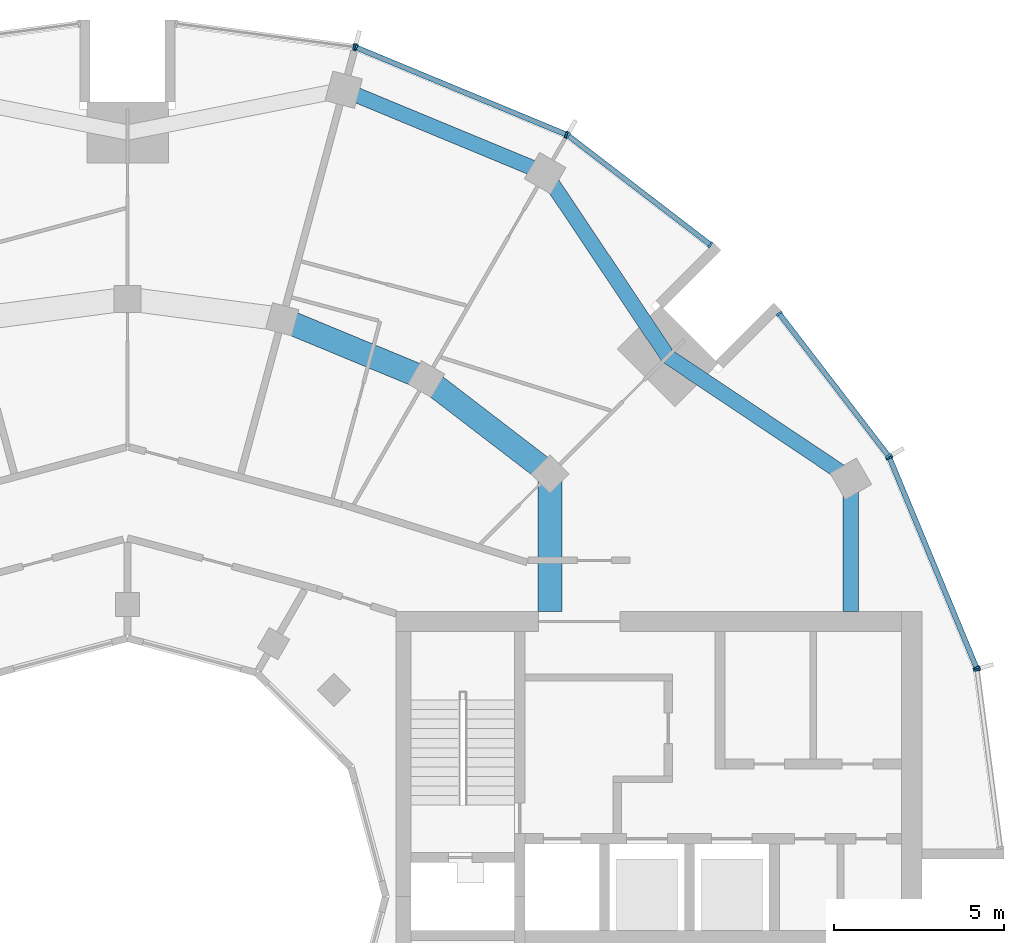
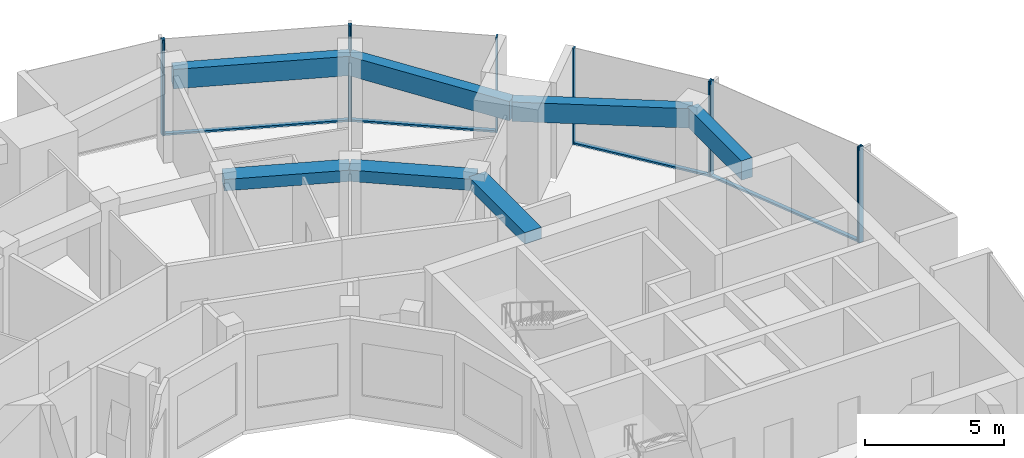
# One storey, part 6 of 15: 14 members, 7 beams, 6 elements without a shape of their own.
"""IFC4 building model written with IfcOpenShell, lengths in metres."""

from ifc_helpers import new_model, si_unit, direction, frame, origin, origin_2d, place, context, subcontext, project, spatial, rectangle, extrude, material, layer, layer_set, material_profile, profile_set, type_object, element, aggregate, save


model = new_model("IFC4")

# Units and contexts
model_context = context("Model", 3, precision=1e-05, world=origin(), true_north=direction((0.0, 1.0)))
body_context = subcontext(model_context, "Body", "Model", "MODEL_VIEW")
ifc_project = project(units=[si_unit("LENGTHUNIT", "METRE"), si_unit("AREAUNIT", "SQUARE_METRE"), si_unit("VOLUMEUNIT", "CUBIC_METRE"), si_unit("PLANEANGLEUNIT", "RADIAN"), si_unit("MASSUNIT", "GRAM", prefix="KILO")], contexts=[model_context])

# Site, building, storey
site_placement = place(None, origin())
site = spatial("IfcSite", under=ifc_project, at=site_placement, CompositionType="ELEMENT")
building_placement = place(site_placement, origin())
building = spatial("IfcBuilding", under=site, at=building_placement, Name="Torre Brocal", CompositionType="ELEMENT")
storey_placement = place(building_placement, frame((0.0, 0.0, 245.699951171875)))
storey = spatial("IfcBuildingStorey", under=building, at=storey_placement, Name="L56", CompositionType="ELEMENT", Elevation=245.699951171875)

# Curtain wall, members
ifc_material_1 = material(Name="Aluminium and glass", Category="aluminium")
ifc_layer_1 = layer(ifc_material_1, 0.199951171875)
ifc_layer_set_1 = layer_set([ifc_layer_1], Name="Aluminium and glass")
curtain_wall_type_1 = type_object("IfcCurtainWallType", Name="CW-1 CURTAIN WALL 4200 HIGH", PredefinedType="NOTDEFINED", material=ifc_layer_set_1)
curtain_wall_1_placement = place(storey_placement, origin())
curtain_wall_1 = element("IfcCurtainWall", 1, at=curtain_wall_1_placement, inside=storey, type_object=curtain_wall_type_1, Name="CW-1 RUN 2", PredefinedType="NOTDEFINED")
ifc_material_2 = material(Name="Aluminium, dark anodised", Category="aluminium")
ifc_material_profile_1 = material_profile(ifc_material_2, rectangle(XDim=0.199951171875, YDim=0.06005859375, at=origin_2d()), Name="CW-1 MULLION 60X200")
ifc_profile_set_1 = profile_set([ifc_material_profile_1], Name="Aluminium, dark anodised")
member_type_1 = type_object("IfcMemberType", Name="CW-1 MULLION 60X200", PredefinedType="MULLION", material=ifc_profile_set_1)
member_1_placement = place(storey_placement, frame((105.005126953125, 81.73095703125, 0.0), z_axis=(0.0, 0.0, 1.0), x_axis=(-0.923879532525, -0.382683432333, 0.0)))
member_1 = element("IfcMember", 2, at=member_1_placement, type_object=member_type_1, Name="CW1-5 mullion 1", PredefinedType="MULLION", context=body_context, shape_type="SweptSolid", body=[
    extrude(rectangle(XDim=0.199951171875, YDim=0.06005859375, at=origin_2d()), origin(), (0.0, 0.0, 1.0), 4.199951171875),
])
member_2_placement = place(storey_placement, frame((102.440673828125, 87.921875, 0.0), z_axis=(0.0, 0.0, 1.0), x_axis=(-0.923879532525, -0.382683432333, 0.0)))
member_2 = element("IfcMember", 3, at=member_2_placement, type_object=member_type_1, Name="CW1-5 mullion 2", PredefinedType="MULLION", context=body_context, shape_type="SweptSolid", body=[
    extrude(rectangle(XDim=0.199951171875, YDim=0.06005859375, at=origin_2d()), origin(), (0.0, 0.0, 1.0), 4.199951171875),
])

curtain_wall_2_placement = place(storey_placement, origin())
curtain_wall_2 = element("IfcCurtainWall", 4, at=curtain_wall_2_placement, inside=storey, type_object=curtain_wall_type_1, Name="CW-1 RUN 3", PredefinedType="NOTDEFINED")
member_3_placement = place(storey_placement, frame((102.4111328125, 87.973388671875, 0.0), z_axis=(0.0, 0.0, 1.0), x_axis=(-0.793353340259, -0.60876142905, 0.0)))
member_3 = element("IfcMember", 5, at=member_3_placement, type_object=member_type_1, Name="CW1-5 mullion 1", PredefinedType="MULLION", context=body_context, shape_type="SweptSolid", body=[
    extrude(rectangle(XDim=0.199951171875, YDim=0.06005859375, at=origin_2d()), origin(), (0.0, 0.0, 1.0), 4.199951171875),
])
member_4_placement = place(storey_placement, frame((99.19140625, 92.16943359375, 0.0), z_axis=(0.0, 0.0, 1.0), x_axis=(-0.793353340259, -0.60876142905, 0.0)))
member_4 = element("IfcMember", 6, at=member_4_placement, type_object=member_type_1, Name="CW1-5 mullion 2", PredefinedType="MULLION", context=body_context, shape_type="SweptSolid", body=[
    extrude(rectangle(XDim=0.199951171875, YDim=0.06005859375, at=origin_2d()), origin(), (0.0, 0.0, 1.0), 4.199951171875),
])

curtain_wall_3_placement = place(storey_placement, origin())
curtain_wall_3 = element("IfcCurtainWall", 7, at=curtain_wall_3_placement, inside=storey, type_object=curtain_wall_type_1, Name="CW-1 RUN 4", PredefinedType="NOTDEFINED")
member_5_placement = place(storey_placement, frame((97.16943359375, 94.19140625, 0.0), z_axis=(0.0, 0.0, 1.0), x_axis=(-0.60876142905, -0.793353340259, 0.0)))
member_5 = element("IfcMember", 8, at=member_5_placement, type_object=member_type_1, Name="CW1-5 mullion 1", PredefinedType="MULLION", context=body_context, shape_type="SweptSolid", body=[
    extrude(rectangle(XDim=0.199951171875, YDim=0.06005859375, at=origin_2d()), origin(), (0.0, 0.0, 1.0), 4.199951171875),
])
member_6_placement = place(storey_placement, frame((92.973388671875, 97.4111328125, 0.0), z_axis=(0.0, 0.0, 1.0), x_axis=(-0.60876142905, -0.793353340259, 0.0)))
member_6 = element("IfcMember", 9, at=member_6_placement, type_object=member_type_1, Name="CW1-5 mullion 2", PredefinedType="MULLION", context=body_context, shape_type="SweptSolid", body=[
    extrude(rectangle(XDim=0.199951171875, YDim=0.06005859375, at=origin_2d()), origin(), (0.0, 0.0, 1.0), 4.199951171875),
])

curtain_wall_4_placement = place(storey_placement, origin())
curtain_wall_4 = element("IfcCurtainWall", 10, at=curtain_wall_4_placement, inside=storey, type_object=curtain_wall_type_1, Name="CW-1 RUN 5", PredefinedType="NOTDEFINED")
member_7_placement = place(storey_placement, frame((92.921875, 97.440673828125, 0.0), z_axis=(0.0, 0.0, 1.0), x_axis=(-0.382683432333, -0.923879532525, 0.0)))
member_7 = element("IfcMember", 11, at=member_7_placement, type_object=member_type_1, Name="CW1-5 mullion 1", PredefinedType="MULLION", context=body_context, shape_type="SweptSolid", body=[
    extrude(rectangle(XDim=0.199951171875, YDim=0.06005859375, at=origin_2d()), origin(), (0.0, 0.0, 1.0), 4.199951171875),
])
member_8_placement = place(storey_placement, frame((86.73095703125, 100.005126953125, 0.0), z_axis=(0.0, 0.0, 1.0), x_axis=(-0.382683432333, -0.923879532525, 0.0)))
member_8 = element("IfcMember", 12, at=member_8_placement, type_object=member_type_1, Name="CW1-5 mullion 2", PredefinedType="MULLION", context=body_context, shape_type="SweptSolid", body=[
    extrude(rectangle(XDim=0.199951171875, YDim=0.06005859375, at=origin_2d()), origin(), (0.0, 0.0, 1.0), 4.199951171875),
])

# Curtain wall, member
curtain_wall_5_placement = place(storey_placement, origin())
curtain_wall_5 = element("IfcCurtainWall", 13, at=curtain_wall_5_placement, inside=storey, type_object=curtain_wall_type_1, Name="CW-1 RUN 6", PredefinedType="NOTDEFINED")
member_9_placement = place(storey_placement, frame((86.67333984375, 100.0205078125, 0.0), z_axis=(0.0, 0.0, 1.0), x_axis=(-0.13052619222, -0.991444861374, 0.0)))
member_9 = element("IfcMember", 14, at=member_9_placement, type_object=member_type_1, Name="CW1-5 mullion 1", PredefinedType="MULLION", context=body_context, shape_type="SweptSolid", body=[
    extrude(rectangle(XDim=0.199951171875, YDim=0.06005859375, at=origin_2d()), origin(), (0.0, 0.0, 1.0), 4.199951171875),
])
aggregate(curtain_wall_5, [member_9])

# Member
ifc_material_3 = material(Name="Aluminium, dark anodised", Category="aluminium")
ifc_material_profile_2 = material_profile(ifc_material_3, rectangle(XDim=0.159912109375, YDim=0.080078125, at=origin_2d()), Name="CW-1 TRANSOM 160X80")
ifc_profile_set_2 = profile_set([ifc_material_profile_2], Name="Aluminium, dark anodised")
member_type_2 = type_object("IfcMemberType", Name="CW-1 TRANSOM 160X80", PredefinedType="USERDEFINED", material=ifc_profile_set_2)
member_10_placement = place(storey_placement, frame((104.99365234375, 81.758544921875, 0.0400390625), z_axis=(-0.38266457234, 0.923887344364, 0.0), x_axis=(-0.923887344364, -0.38266457234, 0.0)))
member_10 = element("IfcMember", 15, at=member_10_placement, type_object=member_type_2, Name="CW1-5 transom 1.1", ObjectType="TRANSOM", PredefinedType="USERDEFINED", context=body_context, shape_type="SweptSolid", body=[
    extrude(rectangle(XDim=0.159912109375, YDim=0.080078125, at=origin_2d()), origin(), (0.0, 0.0, 1.0), 6.640869140625),
])

aggregate(curtain_wall_1, [member_1, member_2, member_10])

member_11_placement = place(storey_placement, frame((102.392822265625, 87.9970703125, 0.0400390625), z_axis=(-0.60874908096, 0.79336281513, 0.0), x_axis=(-0.79336281513, -0.60874908096, 0.0)))
member_11 = element("IfcMember", 16, at=member_11_placement, type_object=member_type_2, Name="CW1-5 transom 1.1", ObjectType="TRANSOM", PredefinedType="USERDEFINED", context=body_context, shape_type="SweptSolid", body=[
    extrude(rectangle(XDim=0.159912109375, YDim=0.080078125, at=origin_2d()), origin(), (0.0, 0.0, 1.0), 5.22900390625),
])

aggregate(curtain_wall_2, [member_3, member_4, member_11])

member_12_placement = place(storey_placement, frame((97.1455078125, 94.209716796875, 0.0400390625), z_axis=(-0.79336281513, 0.60874908096, 0.0), x_axis=(-0.60874908096, -0.79336281513, 0.0)))
member_12 = element("IfcMember", 17, at=member_12_placement, type_object=member_type_2, Name="CW1-5 transom 1.1", ObjectType="TRANSOM", PredefinedType="USERDEFINED", context=body_context, shape_type="SweptSolid", body=[
    extrude(rectangle(XDim=0.159912109375, YDim=0.080078125, at=origin_2d()), origin(), (0.0, 0.0, 1.0), 5.22900390625),
])

aggregate(curtain_wall_3, [member_5, member_6, member_12])

member_13_placement = place(storey_placement, frame((92.89404296875, 97.452392578125, 0.0400390625), z_axis=(-0.923887344364, 0.38266457234, 0.0), x_axis=(-0.38266457234, -0.923887344364, 0.0)))
member_13 = element("IfcMember", 18, at=member_13_placement, type_object=member_type_2, Name="CW1-5 transom 1.1", ObjectType="TRANSOM", PredefinedType="USERDEFINED", context=body_context, shape_type="SweptSolid", body=[
    extrude(rectangle(XDim=0.159912109375, YDim=0.080078125, at=origin_2d()), origin(), (0.0, 0.0, 1.0), 6.640869140625),
])

aggregate(curtain_wall_4, [member_7, member_8, member_13])

# Curtain wall, member
ifc_material_4 = material(Name="Aluminium and glass", Category="aluminium")
ifc_layer_2 = layer(ifc_material_4, 0.199951171875)
ifc_layer_set_2 = layer_set([ifc_layer_2], Name="Aluminium and glass")
curtain_wall_type_2 = type_object("IfcCurtainWallType", Name="CW-1B CURTAIN WALL 4200 HIGH", PredefinedType="NOTDEFINED", material=ifc_layer_set_2)
curtain_wall_6_placement = place(storey_placement, origin())
curtain_wall_6 = element("IfcCurtainWall", 19, at=curtain_wall_6_placement, inside=storey, type_object=curtain_wall_type_2, Name="CW-1B RUN 1", PredefinedType="NOTDEFINED")
ifc_material_5 = material(Name="Aluminium, dark anodised", Category="aluminium")
ifc_material_profile_3 = material_profile(ifc_material_5, rectangle(XDim=0.199951171875, YDim=0.06005859375, at=origin_2d()), Name="CW-1B MULLION 60X200")
ifc_profile_set_3 = profile_set([ifc_material_profile_3], Name="Aluminium, dark anodised")
member_type_3 = type_object("IfcMemberType", Name="CW-1B MULLION 60X200", PredefinedType="MULLION", material=ifc_profile_set_3)
member_14_placement = place(storey_placement, frame((105.0205078125, 81.67333984375, 0.0), z_axis=(0.0, 0.0, 1.0), x_axis=(-0.991444861374, -0.13052619222, 0.0)))
member_14 = element("IfcMember", 20, at=member_14_placement, type_object=member_type_3, Name="CW1B-5 mullion 2", PredefinedType="MULLION", context=body_context, shape_type="SweptSolid", body=[
    extrude(rectangle(XDim=0.199951171875, YDim=0.06005859375, at=origin_2d()), origin(), (0.0, 0.0, 1.0), 4.199951171875),
])
aggregate(curtain_wall_6, [member_14])

# Beams
ifc_material_6 = material(Name="Concrete C50", Category="concrete")
ifc_material_profile_4 = material_profile(ifc_material_6, rectangle(XDim=0.699951171875, YDim=0.5, at=origin_2d()), Name="RC 700X500")
ifc_profile_set_4 = profile_set([ifc_material_profile_4], Name="Concrete C50")
beam_type_1 = type_object("IfcBeamType", Name="RC BEAM 700X500 C50 TOP 3880", PredefinedType="BEAM", material=ifc_profile_set_4)
beam_1_placement = place(storey_placement, frame((92.445068359375, 87.445068359375, 3.630126953125), z_axis=(-0.793358265959, 0.6087550097, 0.0), x_axis=(-0.6087550097, -0.793358265959, 0.0)))
element("IfcBeam", 21, at=beam_1_placement, inside=storey, type_object=beam_type_1, Name="Beam BT-37", PredefinedType="BEAM", context=body_context, shape_type="SweptSolid", body=[
    extrude(rectangle(XDim=0.699951171875, YDim=0.5, at=origin_2d()), origin(), (0.0, 0.0, 1.0), 4.594482421875),
])
beam_2_placement = place(storey_placement, frame((88.800048828125, 90.241943359375, 3.630126953125), z_axis=(-0.923878240166, 0.382686552348, 0.0), x_axis=(-0.382686552348, -0.923878240166, 0.0)))
element("IfcBeam", 22, at=beam_2_placement, inside=storey, type_object=beam_type_1, Name="Beam BT-37", PredefinedType="BEAM", context=body_context, shape_type="SweptSolid", body=[
    extrude(rectangle(XDim=0.699951171875, YDim=0.5, at=origin_2d()), origin(), (0.0, 0.0, 1.0), 4.5947265625),
])
beam_3_placement = place(storey_placement, frame((92.445068359375, 87.445068359375, 3.630126953125), z_axis=(0.0, -1.0, 0.0), x_axis=(1.0, 0.0, 0.0)))
element("IfcBeam", 23, at=beam_3_placement, inside=storey, type_object=beam_type_1, Name="Beam BT-37", PredefinedType="BEAM", context=body_context, shape_type="SweptSolid", body=[
    extrude(rectangle(XDim=0.699951171875, YDim=0.5, at=origin_2d()), origin(), (0.0, 0.0, 1.0), 4.045166015625),
])
ifc_material_7 = material(Name="Concrete C50", Category="concrete")
ifc_material_profile_5 = material_profile(ifc_material_7, rectangle(XDim=0.449951171875, YDim=0.85009765625, at=origin_2d()), Name="RC 450X850")
ifc_profile_set_5 = profile_set([ifc_material_profile_5], Name="Concrete C50")
beam_type_2 = type_object("IfcBeamType", Name="RC SPANDREL BEAM 450X850 C50 TOP 3880", PredefinedType="SPANDREL", material=ifc_profile_set_5)
for number, where, z_axis, x_axis, name in (
    (24, (101.30419921875, 87.300048828125, 3.455078125), (-0.831076844476, 0.556157602282, 0.0), (-0.556157602282, -0.831076844476, 0.0), "Beam BT-38"),
    (25, (95.909912109375, 90.909912109375, 3.455078125), (-0.556157602282, 0.831076844476, 0.0), (-0.831076844476, -0.556157602282, 0.0), "Beam BT-38"),
):
    element("IfcBeam", number, at=place(storey_placement, frame(where, z_axis=z_axis, x_axis=x_axis)), inside=storey, type_object=beam_type_2, Name=name, PredefinedType="SPANDREL", context=body_context, shape_type="SweptSolid", body=[
        extrude(rectangle(XDim=0.449951171875, YDim=0.85009765625, at=origin_2d()), origin(), (0.0, 0.0, 1.0), 6.49072265625),
    ])
beam_4_placement = place(storey_placement, frame((92.300048828125, 96.30419921875, 3.455078125), z_axis=(-0.923882462513, 0.382676358639, 0.0), x_axis=(-0.382676358639, -0.923882462513, 0.0)))
element("IfcBeam", 26, at=beam_4_placement, inside=storey, type_object=beam_type_2, Name="Beam BT-38", PredefinedType="SPANDREL", context=body_context, shape_type="SweptSolid", body=[
    extrude(rectangle(XDim=0.449951171875, YDim=0.85009765625, at=origin_2d()), origin(), (0.0, 0.0, 1.0), 6.421875),
])
beam_5_placement = place(storey_placement, frame((101.30419921875, 87.300048828125, 3.455078125), z_axis=(0.0, -1.0, 0.0), x_axis=(1.0, 0.0, 0.0)))
element("IfcBeam", 27, at=beam_5_placement, inside=storey, type_object=beam_type_2, Name="Beam BT-38", PredefinedType="SPANDREL", context=body_context, shape_type="SweptSolid", body=[
    extrude(rectangle(XDim=0.449951171875, YDim=0.85009765625, at=origin_2d()), origin(), (0.0, 0.0, 1.0), 3.900146484375),
])

save(model, "model.ifc")
